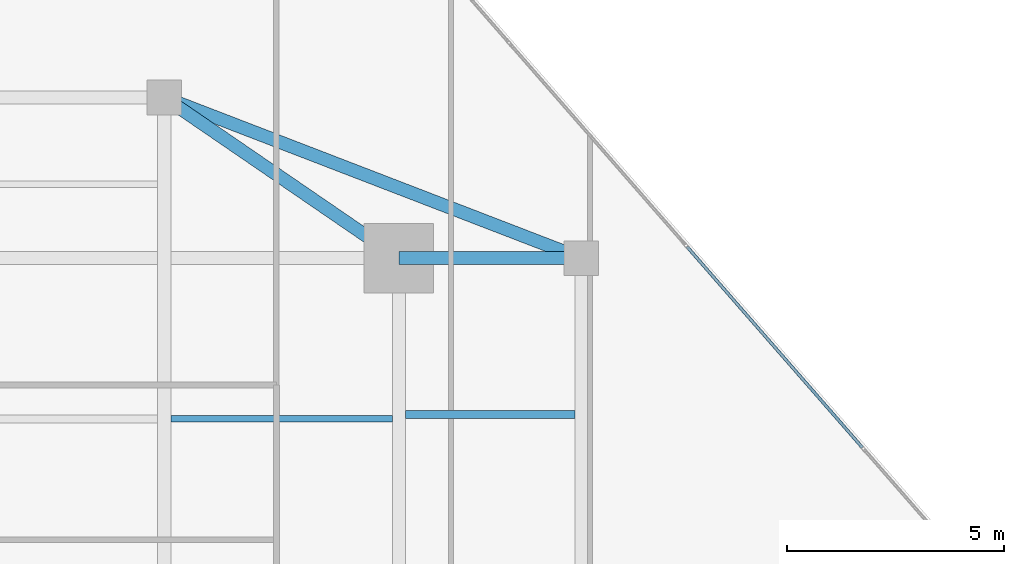
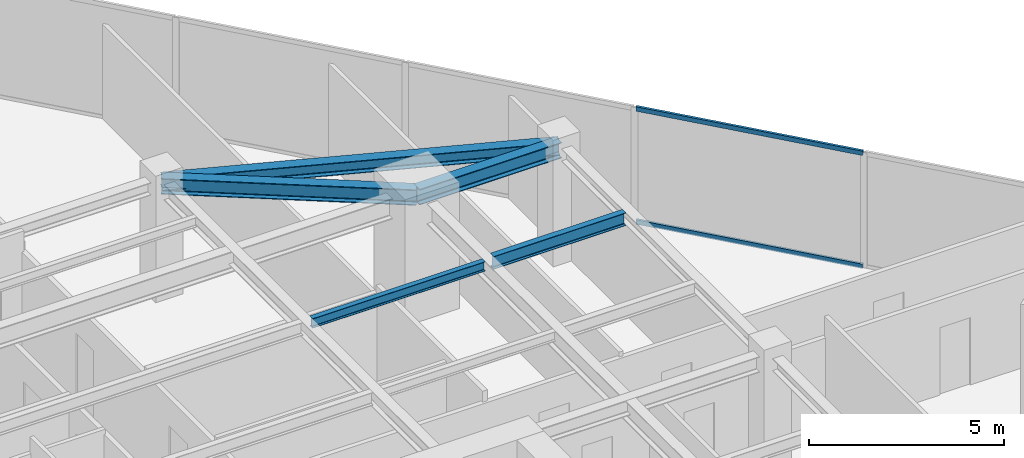
# One storey, part 17 of 24: 5 beams, 2 members, 1 element without a shape of its own.
"""IFC4 building model written with IfcOpenShell, lengths in metres."""

import ifcopenshell
import ifcopenshell.guid

model = None  # the IFC model being written
_history = None  # IfcOwnerHistory: only IFC2X3 demands one
_inside = {}  # id of a spatial element -> (the spatial element, [elements in it])
_under = {}  # id of a project, library or spatial element -> (it, [spatial elements below it])
_declared = {}  # id of a project -> (the project, [libraries it declares])
_typed = {}  # id of a type object -> (the type object, [elements of that type])
_made_of = {}  # id of a material, layer set ... -> (it, [elements and type objects made of it])


def new_model(schema):
    """Start an empty IFC model of exactly this schema.

    Asked for "IFC4X3", IfcOpenShell would pick the latest addendum, in which some entities
    have other attributes; the version numbers below select the first issue.
    IFC2X3 requires an IfcOwnerHistory on every rooted entity: one is made here for all.
    """
    global model, _history
    if schema == "IFC4X3":
        model = ifcopenshell.file(schema_version=(4, 3, 0, 0))
    else:
        model = ifcopenshell.file(schema=schema)
    _inside.clear()
    _under.clear()
    _declared.clear()
    _typed.clear()
    _made_of.clear()
    _history = None
    if model.schema == "IFC2X3":
        org = make("IfcOrganization", Name="unknown")
        user = make(
            "IfcPersonAndOrganization",
            ThePerson=make("IfcPerson", FamilyName="unknown"),
            TheOrganization=org,
        )
        app = make(
            "IfcApplication",
            ApplicationDeveloper=org,
            Version="unknown",
            ApplicationFullName="unknown",
            ApplicationIdentifier="unknown",
        )
        _history = make(
            "IfcOwnerHistory",
            OwningUser=user,
            OwningApplication=app,
            ChangeAction="ADDED",
            CreationDate=0,
        )
    return model


def make(cls, **values):
    """One entity of the class cls with the attributes given. An attribute that is None is left unset."""
    return model.create_entity(
        cls, **{name: value for name, value in values.items() if value is not None}
    )


def rooted(cls, **values):
    """An entity with a GlobalId (a new one), such as an element, a storey or a relation."""
    return make(cls, GlobalId=ifcopenshell.guid.new(), OwnerHistory=_history, **values)


def si_unit(unit_type, name, prefix=None):
    """IfcSIUnit, for example si_unit("LENGTHUNIT", "METRE", prefix="MILLI")."""
    return make("IfcSIUnit", UnitType=unit_type, Prefix=prefix, Name=name)


def assignment(units):
    """IfcUnitAssignment: the units of a project."""
    return None if units is None else make("IfcUnitAssignment", Units=units)


def point(xyz):
    """IfcCartesianPoint."""
    return None if xyz is None else make("IfcCartesianPoint", Coordinates=xyz)


def direction(xyz):
    """IfcDirection."""
    return None if xyz is None else make("IfcDirection", DirectionRatios=xyz)


def frame(location, z_axis=None, x_axis=None):
    """IfcAxis2Placement3D, a coordinate frame: its origin and axes. An axis left out is left unset."""
    return make(
        "IfcAxis2Placement3D",
        Location=point(location),
        Axis=direction(z_axis),
        RefDirection=direction(x_axis),
    )


def frame_2d(location, x_axis=None):
    """IfcAxis2Placement2D, a coordinate frame in the plane: its origin and x axis."""
    return make(
        "IfcAxis2Placement2D", Location=point(location), RefDirection=direction(x_axis)
    )


def origin():
    """The frame at (0, 0, 0) with its axes left unset."""
    return frame((0.0, 0.0, 0.0))


def origin_2d():
    """The frame at (0, 0) in the plane with its x axis left unset."""
    return frame_2d((0.0, 0.0))


def place(relative_to, where):
    """IfcLocalPlacement: puts the frame where relative to a parent placement (None: the world)."""
    return make(
        "IfcLocalPlacement", PlacementRelTo=relative_to, RelativePlacement=where
    )


def context(
    kind, dimensions, precision=None, world=None, true_north=None, identifier=None
):
    """IfcGeometricRepresentationContext, for example the 3D "Model" context."""
    return make(
        "IfcGeometricRepresentationContext",
        ContextIdentifier=identifier,
        ContextType=kind,
        CoordinateSpaceDimension=dimensions,
        Precision=precision,
        WorldCoordinateSystem=world,
        TrueNorth=true_north,
    )


def subcontext(parent, identifier, kind, view, scale=None):
    """IfcGeometricRepresentationSubContext, for example "Body" below "Model"."""
    return make(
        "IfcGeometricRepresentationSubContext",
        ContextIdentifier=identifier,
        ContextType=kind,
        ParentContext=parent,
        TargetScale=scale,
        TargetView=view,
    )


def project(units=None, contexts=None):
    """IfcProject with its units and contexts."""
    return rooted(
        "IfcProject",
        Name="project",
        RepresentationContexts=contexts,
        UnitsInContext=assignment(units),
    )


def spatial(cls, under=None, at=None, **own):
    """A site, building, storey or space (cls), placed at a placement, below another one or the project."""
    s = rooted(cls, ObjectPlacement=at, **own)
    if under is not None:
        _under.setdefault(under.id(), (under, []))[1].append(s)
    return s


def profile(cls, at=None, kind="AREA", **sizes):
    """A parametric profile (cls). Its sizes go by their IFC names, for example OverallWidth=200.0."""
    return make(cls, ProfileType=kind, Position=at, **sizes)


def hollow_rectangle(**sizes):
    """IfcRectangleHollowProfileDef."""
    return profile("IfcRectangleHollowProfileDef", **sizes)


def i_section(**sizes):
    """IfcIShapeProfileDef."""
    return profile("IfcIShapeProfileDef", **sizes)


def extrude(swept, where, along, depth):
    """IfcExtrudedAreaSolid: the profile swept, set in the frame where, extruded along a direction by depth."""
    return make(
        "IfcExtrudedAreaSolid",
        SweptArea=swept,
        Position=where,
        ExtrudedDirection=direction(along),
        Depth=depth,
    )


def shape(context_of_items, identifier, shape_type, items):
    """IfcShapeRepresentation: the items that make up one representation, for example the "Body"."""
    return make(
        "IfcShapeRepresentation",
        ContextOfItems=context_of_items,
        RepresentationIdentifier=identifier,
        RepresentationType=shape_type,
        Items=items,
    )


def source(mapping_origin, context_of_items, identifier, shape_type, items):
    """IfcRepresentationMap: a shape defined once, which mapped items show again and again."""
    return make(
        "IfcRepresentationMap",
        MappingOrigin=mapping_origin,
        MappedRepresentation=shape(context_of_items, identifier, shape_type, items),
    )


def transform(
    local_origin,
    x_axis=None,
    y_axis=None,
    z_axis=None,
    scale=None,
    scale2=None,
    scale3=None,
    uniform=True,
):
    """IfcCartesianTransformationOperator3D, or its non-uniform kind. x_axis, y_axis, z_axis: its Axis1, 2, 3."""
    if uniform:
        return make(
            "IfcCartesianTransformationOperator3D",
            Axis1=direction(x_axis),
            Axis2=direction(y_axis),
            LocalOrigin=point(local_origin),
            Scale=scale,
            Axis3=direction(z_axis),
        )
    return make(
        "IfcCartesianTransformationOperator3DnonUniform",
        Axis1=direction(x_axis),
        Axis2=direction(y_axis),
        LocalOrigin=point(local_origin),
        Scale=scale,
        Axis3=direction(z_axis),
        Scale2=scale2,
        Scale3=scale3,
    )


def mapped(mapping_source, mapping_target):
    """IfcMappedItem: shows the shape of a source again, moved by a transform."""
    return make(
        "IfcMappedItem", MappingSource=mapping_source, MappingTarget=mapping_target
    )


def material(Name=None, Category=None):
    """IfcMaterial."""
    return make("IfcMaterial", Name=Name, Category=Category)


def material_profile(
    of_material, cross_section, Name=None, Category=None, Priority=None
):
    """IfcMaterialProfile: a cross section and its material."""
    return make(
        "IfcMaterialProfile",
        Name=Name,
        Material=of_material,
        Profile=cross_section,
        Priority=Priority,
        Category=Category,
    )


def profile_set(profiles, Name=None, composite=None):
    """IfcMaterialProfileSet."""
    return make(
        "IfcMaterialProfileSet",
        Name=Name,
        MaterialProfiles=profiles,
        CompositeProfile=composite,
    )


def made_of(thing, what):
    """Note that an element or type object is made of a material, layer set ...; save() writes the relation."""
    if what is not None:
        _made_of.setdefault(what.id(), (what, []))[1].append(thing)
    return thing


def type_object(cls, material=None, **own):
    """A type object (cls), such as IfcWallType, which elements share."""
    return made_of(rooted(cls, **own), material)


def type_shapes(of_type, sources):
    """Give a type object the sources (RepresentationMaps) that its elements show as mapped items."""
    of_type.RepresentationMaps = sources


def element(
    cls,
    number,
    at=None,
    inside=None,
    cuts=None,
    type_object=None,
    material=None,
    context=None,
    identifier="Body",
    shape_type=None,
    held_by="IfcProductDefinitionShape",
    body=None,
    shapes=None,
    **own,
):
    """One element of the class cls, such as IfcWall. Its Tag is "e" and its number.

    at: its placement. inside: the storey or other place that contains it. cuts: it is an
    opening in that element (IfcRelVoidsElement). A single representation is given by context,
    identifier, shape_type and body (its items); several are given by shapes. held_by: the class
    of the entity that holds the representations. save() writes the other relations.
    """
    e = rooted(cls, Tag="e%d" % number, ObjectPlacement=at, **own)
    if body is not None:
        shapes = [shape(context, identifier, shape_type, body)]
    if shapes is not None:
        e.Representation = make(held_by, Representations=shapes)
    if inside is not None:
        _inside.setdefault(inside.id(), (inside, []))[1].append(e)
    if cuts is not None:
        rooted(
            "IfcRelVoidsElement", RelatingBuildingElement=cuts, RelatedOpeningElement=e
        )
    if type_object is not None:
        _typed.setdefault(type_object.id(), (type_object, []))[1].append(e)
    return made_of(e, material)


def aggregate(whole, parts):
    """IfcRelAggregates: a whole, such as a stair, and the parts it consists of."""
    return rooted("IfcRelAggregates", RelatingObject=whole, RelatedObjects=parts)


def save(model, path):
    """Write the relations noted so far, then the file.

    IfcRelAggregates (storeys below a building ...), IfcRelContainedInSpatialStructure (elements
    in a storey), IfcRelDefinesByType, IfcRelAssociatesMaterial and IfcRelDeclares: one each for
    every whole, place, type object, material and project.
    """
    for whole, parts in _under.values():
        aggregate(whole, parts)
    for where, things in _inside.values():
        rooted(
            "IfcRelContainedInSpatialStructure",
            RelatedElements=things,
            RelatingStructure=where,
        )
    for kind, things in _typed.values():
        rooted("IfcRelDefinesByType", RelatedObjects=things, RelatingType=kind)
    for what, things in _made_of.values():
        rooted("IfcRelAssociatesMaterial", RelatedObjects=things, RelatingMaterial=what)
    for by, libraries in _declared.values():
        rooted("IfcRelDeclares", RelatingContext=by, RelatedDefinitions=libraries)
    model.write(path)


model = new_model("IFC4")

# Units and contexts
model_context = context("Model", 3, precision=1e-05, world=origin(), true_north=direction((0.0, 1.0)))
body_context = subcontext(model_context, "Body", "Model", "MODEL_VIEW")
ifc_project = project(units=[si_unit("LENGTHUNIT", "METRE"), si_unit("AREAUNIT", "SQUARE_METRE"), si_unit("VOLUMEUNIT", "CUBIC_METRE"), si_unit("PLANEANGLEUNIT", "RADIAN"), si_unit("MASSUNIT", "GRAM", prefix="KILO")], contexts=[model_context])

# Site, building, storey
site_placement = place(None, origin())
site = spatial("IfcSite", under=ifc_project, at=site_placement, CompositionType="ELEMENT")
building_placement = place(site_placement, origin())
building = spatial("IfcBuilding", under=site, at=building_placement, Name="Krantzveldt Concourse Tower", CompositionType="ELEMENT")
storey_placement = place(building_placement, frame((0.0, 0.0, 258.64990234375)))
storey = spatial("IfcBuildingStorey", under=building, at=storey_placement, Name="L63", CompositionType="ELEMENT", Elevation=258.64990234375)

# Beams
ifc_material_1 = material(Name="Steel S355JR", Category="steel")
ifc_material_profile_1 = material_profile(ifc_material_1, i_section(OverallWidth=0.300048828125, OverallDepth=0.389892578125, WebThickness=0.010986328125, FlangeThickness=0.01904296875, FilletRadius=0.027099609375, at=origin_2d()), Name="Steel S355JR", Category="steel")
ifc_profile_set_1 = profile_set([ifc_material_profile_1], Name="Steel S355JR - HEA 400")
beam_type_1 = type_object("IfcBeamType", Name="BM-SP-HEA400", PredefinedType="SPANDREL", material=ifc_profile_set_1)
shared_shape_1 = source(origin(), body_context, "Body", "SweptSolid", [
    extrude(i_section(OverallWidth=0.300048828125, OverallDepth=0.389892578125, WebThickness=0.010986328125, FlangeThickness=0.01904296875, FilletRadius=0.027099609375, at=origin_2d()), origin(), (0.0, 0.0, 1.0), 10.288330078125),
])
type_shapes(beam_type_1, [shared_shape_1])
beam_1_placement = place(storey_placement, frame((41.39990234375, 41.199951171875, 3.405029296875), z_axis=(0.933097690408, -0.359622997257, 0.0), x_axis=(0.359622997257, 0.933097690408, 0.0)))
element("IfcBeam", 1, at=beam_1_placement, inside=storey, type_object=beam_type_1, Name="L63 Tower Girder SP-R05", PredefinedType="SPANDREL", context=body_context, shape_type="MappedRepresentation", body=[
    mapped(shared_shape_1, transform((0.0, 0.0, 0.0), x_axis=(1.0, 0.0, 0.0), y_axis=(0.0, 1.0, 0.0), z_axis=(0.0, 0.0, 1.0), scale=1.0)),
])
ifc_material_profile_2 = material_profile(ifc_material_1, i_section(OverallWidth=0.300048828125, OverallDepth=0.489990234375, WebThickness=0.011962890625, FlangeThickness=0.02294921875, FilletRadius=0.027099609375, at=origin_2d()), Name="Steel S355JR", Category="steel")
ifc_profile_set_2 = profile_set([ifc_material_profile_2], Name="Steel S355JR - HEA 500")
beam_type_2 = type_object("IfcBeamType", Name="BM-B-HEA500", PredefinedType="BEAM", material=ifc_profile_set_2)
shared_shape_2 = source(origin(), body_context, "Body", "SweptSolid", [
    extrude(i_section(OverallWidth=0.300048828125, OverallDepth=0.489990234375, WebThickness=0.011962890625, FlangeThickness=0.02294921875, FilletRadius=0.027099609375, at=origin_2d()), origin(), (0.0, 0.0, 1.0), 4.199951171875),
])
beam_2_placement = place(storey_placement, frame((46.800048828125, 37.5, 3.35498046875), z_axis=(1.0, 0.0, 0.0), x_axis=(0.0, 1.0, 0.0)))
element("IfcBeam", 2, at=beam_2_placement, inside=storey, type_object=beam_type_2, Name="L63 Tower Girder BR-RR3", PredefinedType="BEAM", context=body_context, shape_type="MappedRepresentation", body=[
    mapped(shared_shape_2, transform((0.0, 0.0, 0.0), x_axis=(1.0, 0.0, 0.0), y_axis=(0.0, 1.0, 0.0), z_axis=(0.0, 0.0, 1.0), scale=1.0)),
])
shared_shape_3 = source(origin(), body_context, "Body", "SweptSolid", [
    extrude(i_section(OverallWidth=0.300048828125, OverallDepth=0.489990234375, WebThickness=0.011962890625, FlangeThickness=0.02294921875, FilletRadius=0.027099609375, at=origin_2d()), origin(), (0.0, 0.0, 1.0), 6.546142578125),
])
type_shapes(beam_type_2, [shared_shape_2, shared_shape_3])
beam_3_placement = place(storey_placement, frame((46.800048828125, 37.5, 3.35498046875), z_axis=(-0.824942999484, 0.565215930068, 0.0), x_axis=(-0.565215930068, -0.824942999484, 0.0)))
element("IfcBeam", 3, at=beam_3_placement, inside=storey, type_object=beam_type_2, Name="L63 Tower Girder BR-RR4", PredefinedType="BEAM", context=body_context, shape_type="MappedRepresentation", body=[
    mapped(shared_shape_3, transform((0.0, 0.0, 0.0), x_axis=(1.0, 0.0, 0.0), y_axis=(0.0, 1.0, 0.0), z_axis=(0.0, 0.0, 1.0), scale=1.0)),
])
ifc_material_profile_3 = material_profile(ifc_material_1, i_section(OverallWidth=0.14990234375, OverallDepth=0.300048828125, WebThickness=0.007080078125, FlangeThickness=0.0107421875, FilletRadius=0.014892578125, at=origin_2d()), Name="Steel S355JR", Category="steel")
ifc_profile_set_3 = profile_set([ifc_material_profile_3], Name="Steel S355JR - IPE 300")
beam_type_3 = type_object("IfcBeamType", Name="BM-J-IPE300", PredefinedType="JOIST", material=ifc_profile_set_3)
shared_shape_4 = source(origin(), body_context, "Body", "SweptSolid", [
    extrude(i_section(OverallWidth=0.14990234375, OverallDepth=0.300048828125, WebThickness=0.007080078125, FlangeThickness=0.0107421875, FilletRadius=0.014892578125, at=origin_2d()), origin(), (0.0, 0.0, 1.0), 5.099853515625),
])
type_shapes(beam_type_3, [shared_shape_4])
beam_4_placement = place(storey_placement, frame((41.550048828125, 33.800048828125, 3.4501953125), z_axis=(1.0, 0.0, 0.0), x_axis=(0.0, 1.0, 0.0)))
element("IfcBeam", 4, at=beam_4_placement, inside=storey, type_object=beam_type_3, Name="L63 Secondary Floor Joist JN-E2", PredefinedType="JOIST", context=body_context, shape_type="MappedRepresentation", body=[
    mapped(shared_shape_4, transform((0.0, 0.0, 0.0), x_axis=(1.0, 0.0, 0.0), y_axis=(0.0, 1.0, 0.0), z_axis=(0.0, 0.0, 1.0), scale=1.0)),
])
ifc_material_profile_4 = material_profile(ifc_material_1, i_section(OverallWidth=0.179931640625, OverallDepth=0.39990234375, WebThickness=0.008544921875, FlangeThickness=0.013427734375, FilletRadius=0.02099609375, at=origin_2d()), Name="Steel S355JR", Category="steel")
ifc_profile_set_4 = profile_set([ifc_material_profile_4], Name="Steel S355JR - IPE 400")
beam_type_4 = type_object("IfcBeamType", Name="BM-J-IPE400", PredefinedType="JOIST", material=ifc_profile_set_4)
shared_shape_5 = source(origin(), body_context, "Body", "SweptSolid", [
    extrude(i_section(OverallWidth=0.179931640625, OverallDepth=0.39990234375, WebThickness=0.008544921875, FlangeThickness=0.013427734375, FilletRadius=0.02099609375, at=origin_2d()), origin(), (0.0, 0.0, 1.0), 3.900146484375),
])
type_shapes(beam_type_4, [shared_shape_5])
beam_5_placement = place(storey_placement, frame((46.949951171875, 33.89990234375, 3.400146484375), z_axis=(1.0, 0.0, 0.0), x_axis=(0.0, 1.0, 0.0)))
element("IfcBeam", 5, at=beam_5_placement, inside=storey, type_object=beam_type_4, Name="L63 Secondary Floor Joist JE-4", PredefinedType="JOIST", context=body_context, shape_type="MappedRepresentation", body=[
    mapped(shared_shape_5, transform((0.0, 0.0, 0.0), x_axis=(1.0, 0.0, 0.0), y_axis=(0.0, 1.0, 0.0), z_axis=(0.0, 0.0, 1.0), scale=1.0)),
])

# Curtain wall, members
ifc_material_2 = material(Name="Anodised aluminium 6063-T6", Category="aluminium")
curtain_wall_type = type_object("IfcCurtainWallType", Name="CW3", PredefinedType="USERDEFINED", material=ifc_material_2)
curtain_wall_placement = place(storey_placement, origin())
curtain_wall = element("IfcCurtainWall", 6, at=curtain_wall_placement, inside=storey, type_object=curtain_wall_type, Name="CW-L63-F10", ObjectType="UNITISED CURTAIN WALL", PredefinedType="USERDEFINED")
ifc_material_profile_5 = material_profile(ifc_material_2, hollow_rectangle(XDim=0.070068359375, YDim=0.139892578125, WallThickness=0.0048828125, at=origin_2d()), Name="Anodised aluminium 6063-T6", Category="aluminium")
ifc_profile_set_5 = profile_set([ifc_material_profile_5], Name="Anodised aluminium 6063-T6 - ALU-TRAN 140x70x5")
member_type = type_object("IfcMemberType", Name="CW-TRN-150", PredefinedType="USERDEFINED", material=ifc_profile_set_5)
shared_shape_6 = source(origin(), body_context, "Body", "SweptSolid", [
    extrude(hollow_rectangle(XDim=0.070068359375, YDim=0.139892578125, WallThickness=0.0048828125, at=origin_2d()), origin(), (0.0, 0.0, 1.0), 6.130126953125),
])
type_shapes(member_type, [shared_shape_6])
member_1_placement = place(storey_placement, frame((57.468017578125, 33.14453125, 0.03515625), z_axis=(-0.657697827635, 0.753281864593, 0.0), x_axis=(-0.753281864593, -0.657697827635, 0.0)))
member_1 = element("IfcMember", 7, at=member_1_placement, type_object=member_type, Name="CW-Z34 transom 2.1", ObjectType="TRANSOM", PredefinedType="USERDEFINED", context=body_context, shape_type="MappedRepresentation", body=[
    mapped(shared_shape_6, transform((0.0, 0.0, 0.0), x_axis=(1.0, 0.0, 0.0), y_axis=(0.0, 1.0, 0.0), z_axis=(0.0, 0.0, 1.0), scale=1.0)),
])
member_2_placement = place(storey_placement, frame((57.468017578125, 33.14453125, 3.565185546875), z_axis=(-0.657697827635, 0.753281864593, 0.0), x_axis=(-0.753281864593, -0.657697827635, 0.0)))
member_2 = element("IfcMember", 8, at=member_2_placement, type_object=member_type, Name="CW-Z34 transom 2.2", ObjectType="TRANSOM", PredefinedType="USERDEFINED", context=body_context, shape_type="MappedRepresentation", body=[
    mapped(shared_shape_6, transform((0.0, 0.0, 0.0), x_axis=(1.0, 0.0, 0.0), y_axis=(0.0, 1.0, 0.0), z_axis=(0.0, 0.0, 1.0), scale=1.0)),
])
aggregate(curtain_wall, [member_1, member_2])

save(model, "model.ifc")
